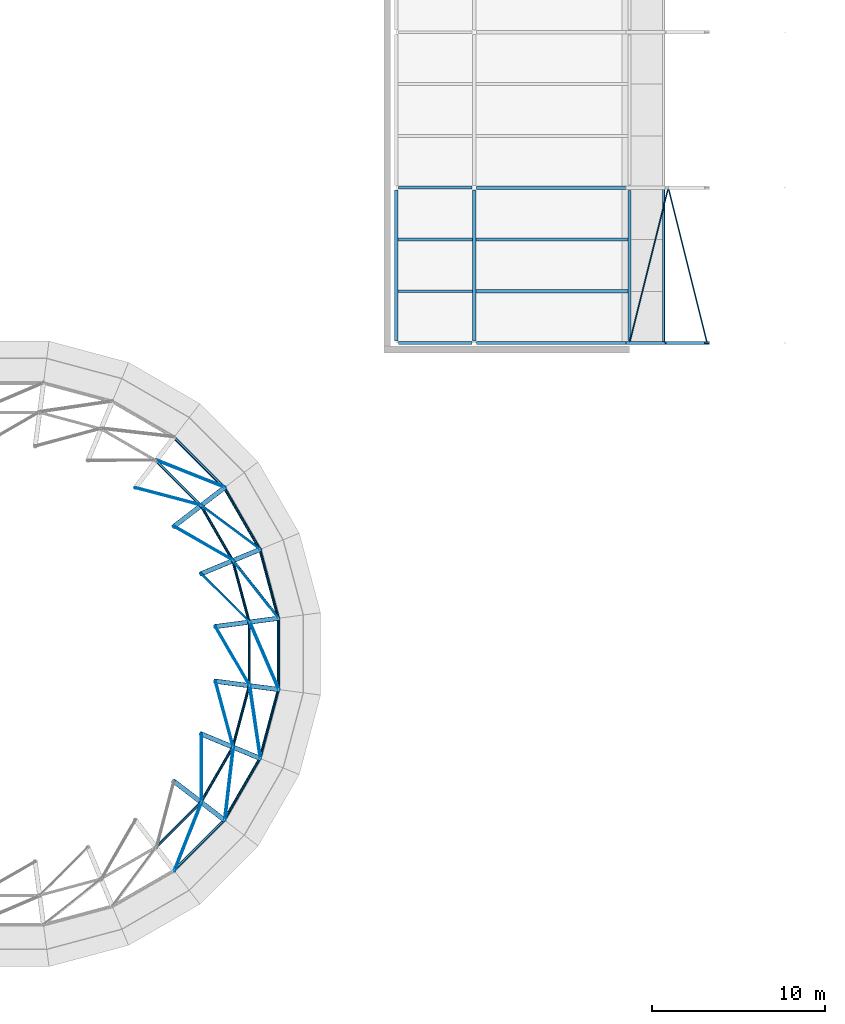
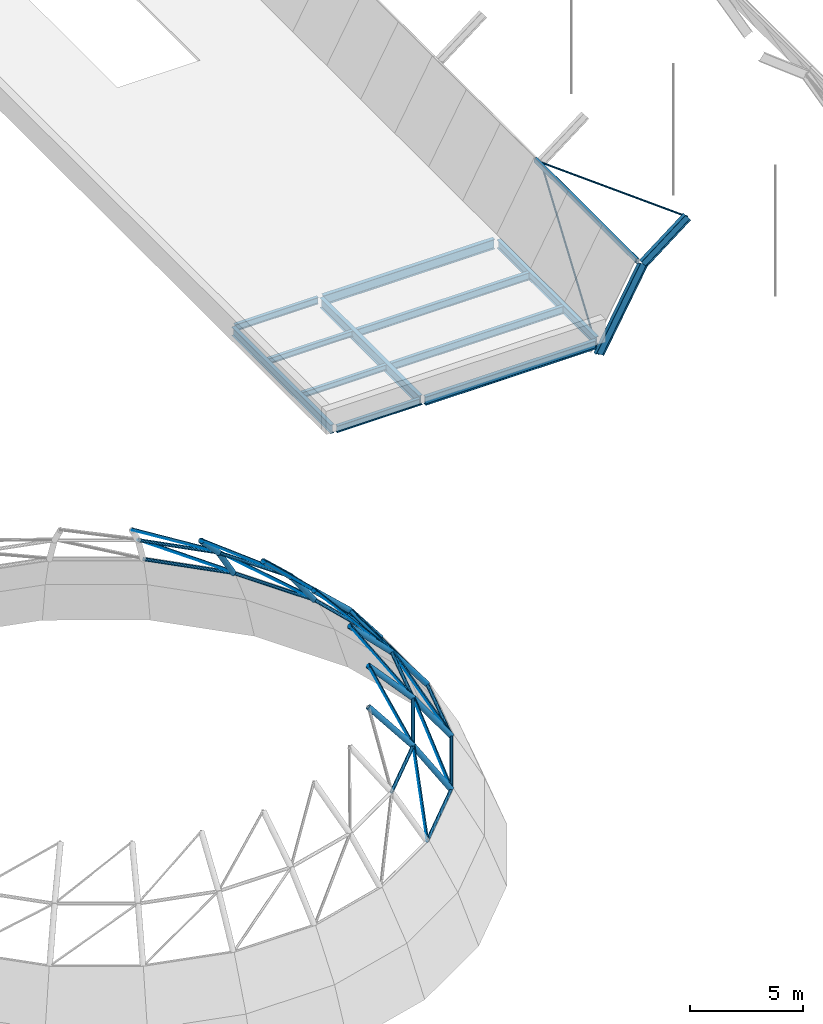
# One storey, part 12 of 62: 43 members, 25 beams.
"""IFC4 building model written with IfcOpenShell, lengths in metres."""

from ifc_helpers import new_model, si_unit, direction, frame, origin, origin_2d, place, context, subcontext, project, spatial, rectangle, hollow_rectangle, circle, hollow_circle, i_section, extrude, material, material_profile, profile_set, type_object, element, save


model = new_model("IFC4")

# Units and contexts
model_context = context("Model", 3, precision=1e-05, world=origin(), true_north=direction((0.0, 1.0)))
body_context = subcontext(model_context, "Body", "Model", "MODEL_VIEW")
ifc_project = project(units=[si_unit("LENGTHUNIT", "METRE"), si_unit("AREAUNIT", "SQUARE_METRE"), si_unit("VOLUMEUNIT", "CUBIC_METRE"), si_unit("PLANEANGLEUNIT", "RADIAN"), si_unit("MASSUNIT", "GRAM", prefix="KILO")], contexts=[model_context])

# Site, building, storey
site_placement = place(None, origin())
site = spatial("IfcSite", under=ifc_project, at=site_placement, CompositionType="ELEMENT")
building_placement = place(site_placement, origin())
building = spatial("IfcBuilding", under=site, at=building_placement, Name="Hortulan Conservatory and Botanical Research Centre", CompositionType="ELEMENT")
storey_placement = place(building_placement, frame((0.0, 0.0, 15.0)))
storey = spatial("IfcBuildingStorey", under=building, at=storey_placement, Name="L03", CompositionType="ELEMENT", Elevation=15.0)

# Members
ifc_material_1 = material(Name="Steel Grade 300PLUS (AS/NZS 3679.1, 280 MPa minimum yield)", Category="steel")
ifc_material_profile_1 = material_profile(ifc_material_1, circle(Radius=0.011962890625, at=origin_2d()), Name="24 dia rod")
ifc_profile_set_1 = profile_set([ifc_material_profile_1], Name="Steel Grade 300PLUS (AS/NZS 3679.1, 280 MPa minimum yield)")
member_type_1 = type_object("IfcMemberType", Name="Dome Diagonal Rod 24 dia rod", PredefinedType="BRACE", material=ifc_profile_set_1)
for number, where, z_axis, x_axis, name in (
    (1, (69.667236328125, 20.0625, 0.515380859375), (-0.551276813758, 0.696722880391, 0.45898921834), (-0.784207644778, -0.620498484987, 0.0), "Dome diagonal rod row 3 panel 01"),
    (2, (68.599609375, 24.04736328125, 0.515380859375), (-0.712827671315, 0.530297262099, 0.458978784715), (-0.59688099189, -0.802329783518, 0.0), "Dome diagonal rod row 3 panel 02"),
):
    element("IfcMember", number, at=place(storey_placement, frame(where, z_axis=z_axis, x_axis=x_axis)), inside=storey, type_object=member_type_1, Name=name, PredefinedType="BRACE", context=body_context, shape_type="SweptSolid", body=[
        extrude(circle(Radius=0.011962890625, at=origin_2d()), origin(), (0.0, 0.0, 1.0), 4.78564453125),
    ])
for number, where, z_axis, x_axis, name in (
    (3, (66.536865234375, 27.619873046875, 0.515380859375), (-0.825772927087, 0.327737877401, 0.459006488632), (-0.368894344286, -0.92947133509, 0.0), "Dome diagonal rod row 3 panel 03"),
    (4, (63.619873046875, 5.463134765625, 0.515380859375), (0.327737877401, 0.825772927087, 0.459006488632), (-0.92947133509, 0.368894344286, 0.0), "Dome diagonal rod row 3 panel 21"),
):
    element("IfcMember", number, at=place(storey_placement, frame(where, z_axis=z_axis, x_axis=x_axis)), inside=storey, type_object=member_type_1, Name=name, PredefinedType="BRACE", context=body_context, shape_type="SweptSolid", body=[
        extrude(circle(Radius=0.011962890625, at=origin_2d()), origin(), (0.0, 0.0, 1.0), 4.785400390625),
    ])
for number, where, z_axis, x_axis, name in (
    (5, (66.536865234375, 8.380126953125, 0.515380859375), (0.102847629972, 0.882469396453, 0.458988158162), (-0.993277011316, 0.115761732848, 0.0), "Dome diagonal rod row 3 panel 22"),
    (6, (68.599609375, 11.95263671875, 0.515380859375), (-0.129071585613, 0.879013209529, 0.458994883699), (-0.989390716312, -0.145279077903, 0.0), "Dome diagonal rod row 3 panel 23"),
):
    element("IfcMember", number, at=place(storey_placement, frame(where, z_axis=z_axis, x_axis=x_axis)), inside=storey, type_object=member_type_1, Name=name, PredefinedType="BRACE", context=body_context, shape_type="SweptSolid", body=[
        extrude(circle(Radius=0.011962890625, at=origin_2d()), origin(), (0.0, 0.0, 1.0), 4.78564453125),
    ])
member_1_placement = place(storey_placement, frame((69.667236328125, 15.9375, 0.515380859375), z_axis=(-0.352169327577, 0.815657425656, 0.458998615125), x_axis=(-0.91808135187, -0.396392017261, 0.0)))
element("IfcMember", 7, at=member_1_placement, inside=storey, type_object=member_type_1, Name="Dome diagonal rod row 3 panel 24", PredefinedType="BRACE", context=body_context, shape_type="SweptSolid", body=[
    extrude(circle(Radius=0.011962890625, at=origin_2d()), origin(), (0.0, 0.0, 1.0), 4.785400390625),
])
member_2_placement = place(storey_placement, frame((67.98193359375, 19.8408203125, 2.7119140625), z_axis=(-0.637310933785, 0.634313390851, 0.437585758299), x_axis=(-0.705437990181, -0.708771643062, 0.0)))
element("IfcMember", 8, at=member_2_placement, inside=storey, type_object=member_type_1, Name="Dome diagonal rod row 4 panel 01", PredefinedType="BRACE", context=body_context, shape_type="SweptSolid", body=[
    extrude(circle(Radius=0.011962890625, at=origin_2d()), origin(), (0.0, 0.0, 1.0), 4.398193359375),
])
for number, where, z_axis, x_axis, name in (
    (9, (67.029052734375, 23.396728515625, 2.7119140625), (-0.779763098532, 0.447751772817, 0.437593258755), (-0.49795952205, -0.867200273524, 0.0), "Dome diagonal rod row 4 panel 02"),
    (10, (65.188232421875, 26.585205078125, 2.7119140625), (-0.869085936179, 0.230649723098, 0.437596093185), (-0.256513561855, -0.966540631626, 0.0), "Dome diagonal rod row 4 panel 03"),
    (11, (65.188232421875, 9.414794921875, 2.7119140625), (-0.002109424451, 0.899169927801, 0.437594551232), (-0.999997248227, -0.002345962183, 0.0), "Dome diagonal rod row 4 panel 22"),
    (12, (67.029052734375, 12.603271484375, 2.7119140625), (-0.234759526043, 0.867982962687, 0.437599750247), (-0.965315887226, -0.261084733121, 0.0), "Dome diagonal rod row 4 panel 23"),
):
    element("IfcMember", number, at=place(storey_placement, frame(where, z_axis=z_axis, x_axis=x_axis)), inside=storey, type_object=member_type_1, Name=name, PredefinedType="BRACE", context=body_context, shape_type="SweptSolid", body=[
        extrude(circle(Radius=0.011962890625, at=origin_2d()), origin(), (0.0, 0.0, 1.0), 4.39794921875),
    ])
member_3_placement = place(storey_placement, frame((67.98193359375, 16.1591796875, 2.7119140625), z_axis=(-0.451413454408, 0.777650157748, 0.437591276574), x_axis=(-0.864849474526, -0.502031260393, 0.0)))
element("IfcMember", 13, at=member_3_placement, inside=storey, type_object=member_type_1, Name="Dome diagonal rod row 4 panel 24", PredefinedType="BRACE", context=body_context, shape_type="SweptSolid", body=[
    extrude(circle(Radius=0.011962890625, at=origin_2d()), origin(), (0.0, 0.0, 1.0), 4.398193359375),
])
ifc_material_2 = material(Name="Bronze-finished aluminium", Category="aluminium")
ifc_material_profile_2 = material_profile(ifc_material_2, rectangle(XDim=0.050048828125, YDim=0.050048828125, at=origin_2d()), Name="Square bar 50x50")
ifc_profile_set_2 = profile_set([ifc_material_profile_2], Name="Bronze-finished aluminium")
member_type_2 = type_object("IfcMemberType", Name="Dome Glazing Bar 50x50", PredefinedType="MEMBER", material=ifc_profile_set_2)
member_4_placement = place(storey_placement, frame((69.73046875, 20.07080078125, 0.5576171875), z_axis=(-0.551277329831, 0.696743412348, 0.458957430448), x_axis=(-0.784216259694, -0.620487597001, 0.0)))
element("IfcMember", 14, at=member_4_placement, inside=storey, type_object=member_type_2, Name="Dome glazing bar row 3 panel 01", PredefinedType="MEMBER", context=body_context, shape_type="SweptSolid", body=[
    extrude(rectangle(XDim=0.050048828125, YDim=0.050048828125, at=origin_2d()), origin(), (0.0, 0.0, 1.0), 4.80517578125),
])
member_5_placement = place(storey_placement, frame((68.658447265625, 24.07177734375, 0.5576171875), z_axis=(-0.712822104019, 0.530310378476, 0.458972276399), x_axis=(-0.596893496281, -0.802320480916, 0.0)))
element("IfcMember", 15, at=member_5_placement, inside=storey, type_object=member_type_2, Name="Dome glazing bar row 3 panel 02", PredefinedType="MEMBER", context=body_context, shape_type="SweptSolid", body=[
    extrude(rectangle(XDim=0.050048828125, YDim=0.050048828125, at=origin_2d()), origin(), (0.0, 0.0, 1.0), 4.804931640625),
])
for number, where, z_axis, x_axis, name in (
    (16, (66.58740234375, 27.65869140625, 0.5576171875), (-0.825772653205, 0.327748053238, 0.458999715488), (-0.368904344965, -0.929467365896, 0.0), "Dome glazing bar row 3 panel 03"),
    (17, (63.65869140625, 5.41259765625, 0.5576171875), (0.327748053238, 0.825772653205, 0.458999715488), (-0.929467365896, 0.368904344965, 0.0), "Dome glazing bar row 3 panel 21"),
    (18, (66.58740234375, 8.34130859375, 0.5576171875), (0.102845269021, 0.882467286107, 0.458992744596), (-0.99327728504, 0.115759384172, 0.0), "Dome glazing bar row 3 panel 22"),
):
    element("IfcMember", number, at=place(storey_placement, frame(where, z_axis=z_axis, x_axis=x_axis)), inside=storey, type_object=member_type_2, Name=name, PredefinedType="MEMBER", context=body_context, shape_type="SweptSolid", body=[
        extrude(rectangle(XDim=0.050048828125, YDim=0.050048828125, at=origin_2d()), origin(), (0.0, 0.0, 1.0), 4.8046875),
    ])
member_6_placement = place(storey_placement, frame((68.658447265625, 11.92822265625, 0.5576171875), z_axis=(-0.129059327779, 0.879026130151, 0.45897358576), x_axis=(-0.989393006263, -0.145263481844, 0.0)))
element("IfcMember", 19, at=member_6_placement, inside=storey, type_object=member_type_2, Name="Dome glazing bar row 3 panel 23", PredefinedType="MEMBER", context=body_context, shape_type="SweptSolid", body=[
    extrude(rectangle(XDim=0.050048828125, YDim=0.050048828125, at=origin_2d()), origin(), (0.0, 0.0, 1.0), 4.804931640625),
])
member_7_placement = place(storey_placement, frame((69.73046875, 15.92919921875, 0.5576171875), z_axis=(-0.352185798662, 0.815652350329, 0.458994996295), x_axis=(-0.918073707247, -0.39640972246, 0.0)))
element("IfcMember", 20, at=member_7_placement, inside=storey, type_object=member_type_2, Name="Dome glazing bar row 3 panel 24", PredefinedType="MEMBER", context=body_context, shape_type="SweptSolid", body=[
    extrude(rectangle(XDim=0.050048828125, YDim=0.050048828125, at=origin_2d()), origin(), (0.0, 0.0, 1.0), 4.8046875),
])
for number, where, z_axis, x_axis, name in (
    (21, (68.035888671875, 19.847900390625, 2.7607421875), (-0.637294139338, 0.634308119075, 0.437617858457), (-0.705444383685, -0.708765279572, 0.0), "Dome glazing bar row 4 panel 01"),
    (22, (67.079345703125, 23.417724609375, 2.7607421875), (-0.779750114906, 0.447743896205, 0.437624452831), (-0.497959169754, -0.867200475818, 0.0), "Dome glazing bar row 4 panel 02"),
    (23, (65.2314453125, 26.618408203125, 2.7607421875), (-0.869068491127, 0.230649317669, 0.437630951818), (-0.256517950879, -0.966539466797, 0.0), "Dome glazing bar row 4 panel 03"),
):
    element("IfcMember", number, at=place(storey_placement, frame(where, z_axis=z_axis, x_axis=x_axis)), inside=storey, type_object=member_type_2, Name=name, PredefinedType="MEMBER", context=body_context, shape_type="SweptSolid", body=[
        extrude(rectangle(XDim=0.050048828125, YDim=0.050048828125, at=origin_2d()), origin(), (0.0, 0.0, 1.0), 4.4150390625),
    ])
member_8_placement = place(storey_placement, frame((65.2314453125, 9.381591796875, 2.7607421875), z_axis=(-0.00210123465, 0.89916254341, 0.437609763763), x_axis=(-0.999997269508, -0.00233687327, 0.0)))
element("IfcMember", 24, at=member_8_placement, inside=storey, type_object=member_type_2, Name="Dome glazing bar row 4 panel 22", PredefinedType="MEMBER", context=body_context, shape_type="SweptSolid", body=[
    extrude(rectangle(XDim=0.050048828125, YDim=0.050048828125, at=origin_2d()), origin(), (0.0, 0.0, 1.0), 4.415283203125),
])
for number, where, z_axis, x_axis, name in (
    (25, (67.079345703125, 12.582275390625, 2.7607421875), (-0.234732085338, 0.867983402485, 0.437613597965), (-0.965323611585, -0.261056171955, 0.0), "Dome glazing bar row 4 panel 23"),
    (26, (68.035888671875, 16.152099609375, 2.7607421875), (-0.451391510808, 0.777645328494, 0.437622493757), (-0.864858716753, -0.502015338467, 0.0), "Dome glazing bar row 4 panel 24"),
):
    element("IfcMember", number, at=place(storey_placement, frame(where, z_axis=z_axis, x_axis=x_axis)), inside=storey, type_object=member_type_2, Name=name, PredefinedType="MEMBER", context=body_context, shape_type="SweptSolid", body=[
        extrude(rectangle(XDim=0.050048828125, YDim=0.050048828125, at=origin_2d()), origin(), (0.0, 0.0, 1.0), 4.4150390625),
    ])

# Beams
ifc_material_3 = material(Name="Steel Grade C350L0 (350 MPa, AS/NZS 1163)", Category="steel")
ifc_material_profile_3 = material_profile(ifc_material_3, hollow_circle(Radius=0.136474609375, WallThickness=0.00927734375, at=origin_2d()), Name="273.1x9.3CHS")
ifc_profile_set_3 = profile_set([ifc_material_profile_3], Name="Steel Grade C350L0 (350 MPa, AS/NZS 1163)")
beam_type_1 = type_object("IfcBeamType", Name="Dome Rib 273.1x9.3 CHS", PredefinedType="BEAM", material=ifc_profile_set_3)
for number, where, z_axis, x_axis, name in (
    (27, (69.667236328125, 20.0625, 0.515380859375), (-0.606783856644, -0.079814535975, 0.790849537626), (0.130413643681, -0.991459672171, 0.0), "Dome rib 01 segment 3"),
    (28, (67.98193359375, 19.8408203125, 2.7119140625), (-0.714825060268, -0.09414383172, 0.692937278664), (0.130574354934, -0.991438519442, 0.0), "Dome rib 01 segment 4"),
):
    element("IfcBeam", number, at=place(storey_placement, frame(where, z_axis=z_axis, x_axis=x_axis)), inside=storey, type_object=beam_type_1, Name=name, PredefinedType="BEAM", context=body_context, shape_type="SweptSolid", body=[
        extrude(hollow_circle(Radius=0.136474609375, WallThickness=0.00927734375, at=origin_2d()), origin(), (0.0, 0.0, 1.0), 2.77734375),
    ])
beam_1_placement = place(storey_placement, frame((68.599609375, 24.04736328125, 0.515380859375), z_axis=(-0.56544866769, -0.234248515373, 0.790819471974), x_axis=(0.382728070254, -0.923861041629, 0.0)))
element("IfcBeam", 29, at=beam_1_placement, inside=storey, type_object=beam_type_1, Name="Dome rib 02 segment 3", PredefinedType="BEAM", context=body_context, shape_type="SweptSolid", body=[
    extrude(hollow_circle(Radius=0.136474609375, WallThickness=0.00927734375, at=origin_2d()), origin(), (0.0, 0.0, 1.0), 2.777587890625),
])
for number, where, z_axis, x_axis, name in (
    (30, (67.029052734375, 23.396728515625, 2.7119140625), (-0.666135531853, -0.275842346128, 0.692946212404), (0.382588690977, -0.923918769988, 0.0), "Dome rib 02 segment 4"),
    (31, (66.536865234375, 27.619873046875, 0.515380859375), (-0.485568952644, -0.372527375327, 0.790851532755), (0.608696855195, -0.793402885346, 0.0), "Dome rib 03 segment 3"),
    (32, (65.188232421875, 26.585205078125, 2.7119140625), (-0.571972902926, -0.438978435102, 0.692924910675), (0.608838412356, -0.793294262956, 0.0), "Dome rib 03 segment 4"),
    (33, (66.536865234375, 8.380126953125, 0.515380859375), (-0.485568952644, 0.372527375327, 0.790851532755), (-0.608696855195, -0.793402885346, 0.0), "Dome rib 22 segment 3"),
    (34, (65.188232421875, 9.414794921875, 2.7119140625), (-0.571972902926, 0.438978435102, 0.692924910675), (-0.608838412356, -0.793294262956, 0.0), "Dome rib 22 segment 4"),
):
    element("IfcBeam", number, at=place(storey_placement, frame(where, z_axis=z_axis, x_axis=x_axis)), inside=storey, type_object=beam_type_1, Name=name, PredefinedType="BEAM", context=body_context, shape_type="SweptSolid", body=[
        extrude(hollow_circle(Radius=0.136474609375, WallThickness=0.00927734375, at=origin_2d()), origin(), (0.0, 0.0, 1.0), 2.77734375),
    ])
beam_2_placement = place(storey_placement, frame((68.599609375, 11.95263671875, 0.515380859375), z_axis=(-0.56544866769, 0.234248515373, 0.790819471974), x_axis=(-0.382728070254, -0.923861041629, 0.0)))
element("IfcBeam", 35, at=beam_2_placement, inside=storey, type_object=beam_type_1, Name="Dome rib 23 segment 3", PredefinedType="BEAM", context=body_context, shape_type="SweptSolid", body=[
    extrude(hollow_circle(Radius=0.136474609375, WallThickness=0.00927734375, at=origin_2d()), origin(), (0.0, 0.0, 1.0), 2.777587890625),
])
for number, where, z_axis, x_axis, name in (
    (36, (67.029052734375, 12.603271484375, 2.7119140625), (-0.666135531853, 0.275842346128, 0.692946212404), (-0.382588690977, -0.923918769988, 0.0), "Dome rib 23 segment 4"),
    (37, (69.667236328125, 15.9375, 0.515380859375), (-0.606783856644, 0.079814535975, 0.790849537626), (-0.130413643681, -0.991459672171, 0.0), "Dome rib 24 segment 3"),
    (38, (67.98193359375, 16.1591796875, 2.7119140625), (-0.714825060268, 0.09414383172, 0.692937278664), (-0.130574354934, -0.991438519442, 0.0), "Dome rib 24 segment 4"),
):
    element("IfcBeam", number, at=place(storey_placement, frame(where, z_axis=z_axis, x_axis=x_axis)), inside=storey, type_object=beam_type_1, Name=name, PredefinedType="BEAM", context=body_context, shape_type="SweptSolid", body=[
        extrude(hollow_circle(Radius=0.136474609375, WallThickness=0.00927734375, at=origin_2d()), origin(), (0.0, 0.0, 1.0), 2.77734375),
    ])

# Members
ifc_material_profile_4 = material_profile(ifc_material_3, hollow_circle(Radius=0.084228515625, WallThickness=0.00634765625, at=origin_2d()), Name="168.3x6.4CHS")
ifc_profile_set_4 = profile_set([ifc_material_profile_4], Name="Steel Grade C350L0 (350 MPa, AS/NZS 1163)")
member_type_3 = type_object("IfcMemberType", Name="Dome Ring 168.3x6.4 CHS", PredefinedType="PURLIN", material=ifc_profile_set_4)
member_9_placement = place(storey_placement, frame((69.667236328125, 20.0625, 0.515380859375), z_axis=(-0.258793274892, 0.965932731028, 0.0), x_axis=(-0.965932731028, -0.258793274892, 0.0)))
element("IfcMember", 39, at=member_9_placement, inside=storey, type_object=member_type_3, Name="Dome ring 2 chord 01", PredefinedType="PURLIN", context=body_context, shape_type="SweptSolid", body=[
    extrude(hollow_circle(Radius=0.084228515625, WallThickness=0.00634765625, at=origin_2d()), origin(), (0.0, 0.0, 1.0), 4.12548828125),
])
for number, where, z_axis, x_axis, name in (
    (40, (68.599609375, 24.04736328125, 0.515380859375), (-0.500028119036, 0.866009168642, 0.0), (-0.866009168642, -0.500028119036, 0.0), "Dome ring 2 chord 02"),
    (41, (66.536865234375, 27.619873046875, 0.515380859375), (-0.707106781187, 0.707106781187, 0.0), (-0.707106781187, -0.707106781187, 0.0), "Dome ring 2 chord 03"),
    (42, (63.619873046875, 5.463134765625, 0.515380859375), (0.707106781187, 0.707106781187, 0.0), (-0.707106781187, 0.707106781187, 0.0), "Dome ring 2 chord 21"),
    (43, (66.536865234375, 8.380126953125, 0.515380859375), (0.500028119036, 0.866009168642, 0.0), (-0.866009168642, 0.500028119036, 0.0), "Dome ring 2 chord 22"),
):
    element("IfcMember", number, at=place(storey_placement, frame(where, z_axis=z_axis, x_axis=x_axis)), inside=storey, type_object=member_type_3, Name=name, PredefinedType="PURLIN", context=body_context, shape_type="SweptSolid", body=[
        extrude(hollow_circle(Radius=0.084228515625, WallThickness=0.00634765625, at=origin_2d()), origin(), (0.0, 0.0, 1.0), 4.125244140625),
    ])
member_10_placement = place(storey_placement, frame((68.599609375, 11.95263671875, 0.515380859375), z_axis=(0.258793274892, 0.965932731028, 0.0), x_axis=(-0.965932731028, 0.258793274892, 0.0)))
element("IfcMember", 44, at=member_10_placement, inside=storey, type_object=member_type_3, Name="Dome ring 2 chord 23", PredefinedType="PURLIN", context=body_context, shape_type="SweptSolid", body=[
    extrude(hollow_circle(Radius=0.084228515625, WallThickness=0.00634765625, at=origin_2d()), origin(), (0.0, 0.0, 1.0), 4.12548828125),
])
member_11_placement = place(storey_placement, frame((69.667236328125, 15.9375, 0.515380859375), z_axis=(0.0, 1.0, 0.0), x_axis=(-1.0, 0.0, 0.0)))
element("IfcMember", 45, at=member_11_placement, inside=storey, type_object=member_type_3, Name="Dome ring 2 chord 24", PredefinedType="PURLIN", context=body_context, shape_type="SweptSolid", body=[
    extrude(hollow_circle(Radius=0.084228515625, WallThickness=0.00634765625, at=origin_2d()), origin(), (0.0, 0.0, 1.0), 4.125),
])
member_12_placement = place(storey_placement, frame((67.98193359375, 19.8408203125, 2.7119140625), z_axis=(-0.258838845954, 0.965920520449, 0.0), x_axis=(-0.965920520449, -0.258838845954, 0.0)))
element("IfcMember", 46, at=member_12_placement, inside=storey, type_object=member_type_3, Name="Dome ring 3 chord 01", PredefinedType="PURLIN", context=body_context, shape_type="SweptSolid", body=[
    extrude(hollow_circle(Radius=0.084228515625, WallThickness=0.00634765625, at=origin_2d()), origin(), (0.0, 0.0, 1.0), 3.681396484375),
])
member_13_placement = place(storey_placement, frame((67.029052734375, 23.396728515625, 2.7119140625), z_axis=(-0.499990325971, 0.866030989016, 0.0), x_axis=(-0.866030989016, -0.499990325971, 0.0)))
element("IfcMember", 47, at=member_13_placement, inside=storey, type_object=member_type_3, Name="Dome ring 3 chord 02", PredefinedType="PURLIN", context=body_context, shape_type="SweptSolid", body=[
    extrude(hollow_circle(Radius=0.084228515625, WallThickness=0.00634765625, at=origin_2d()), origin(), (0.0, 0.0, 1.0), 3.681640625),
])
for number, where, z_axis, x_axis, name in (
    (48, (65.188232421875, 26.585205078125, 2.7119140625), (-0.707106781187, 0.707106781187, 0.0), (-0.707106781187, -0.707106781187, 0.0), "Dome ring 3 chord 03"),
    (49, (62.585205078125, 6.811767578125, 2.7119140625), (0.707106781187, 0.707106781187, 0.0), (-0.707106781187, 0.707106781187, 0.0), "Dome ring 3 chord 21"),
):
    element("IfcMember", number, at=place(storey_placement, frame(where, z_axis=z_axis, x_axis=x_axis)), inside=storey, type_object=member_type_3, Name=name, PredefinedType="PURLIN", context=body_context, shape_type="SweptSolid", body=[
        extrude(hollow_circle(Radius=0.084228515625, WallThickness=0.00634765625, at=origin_2d()), origin(), (0.0, 0.0, 1.0), 3.68115234375),
    ])
member_14_placement = place(storey_placement, frame((65.188232421875, 9.414794921875, 2.7119140625), z_axis=(0.499990325971, 0.866030989016, 0.0), x_axis=(-0.866030989016, 0.499990325971, 0.0)))
element("IfcMember", 50, at=member_14_placement, inside=storey, type_object=member_type_3, Name="Dome ring 3 chord 22", PredefinedType="PURLIN", context=body_context, shape_type="SweptSolid", body=[
    extrude(hollow_circle(Radius=0.084228515625, WallThickness=0.00634765625, at=origin_2d()), origin(), (0.0, 0.0, 1.0), 3.681640625),
])
member_15_placement = place(storey_placement, frame((67.029052734375, 12.603271484375, 2.7119140625), z_axis=(0.258838845954, 0.965920520449, 0.0), x_axis=(-0.965920520449, 0.258838845954, 0.0)))
element("IfcMember", 51, at=member_15_placement, inside=storey, type_object=member_type_3, Name="Dome ring 3 chord 23", PredefinedType="PURLIN", context=body_context, shape_type="SweptSolid", body=[
    extrude(hollow_circle(Radius=0.084228515625, WallThickness=0.00634765625, at=origin_2d()), origin(), (0.0, 0.0, 1.0), 3.681396484375),
])
member_16_placement = place(storey_placement, frame((67.98193359375, 16.1591796875, 2.7119140625), z_axis=(0.0, 1.0, 0.0), x_axis=(-1.0, 0.0, 0.0)))
element("IfcMember", 52, at=member_16_placement, inside=storey, type_object=member_type_3, Name="Dome ring 3 chord 24", PredefinedType="PURLIN", context=body_context, shape_type="SweptSolid", body=[
    extrude(hollow_circle(Radius=0.084228515625, WallThickness=0.00634765625, at=origin_2d()), origin(), (0.0, 0.0, 1.0), 3.681640625),
])

# Beams
ifc_material_profile_5 = material_profile(ifc_material_1, i_section(OverallWidth=0.1708984375, OverallDepth=0.35595703125, WebThickness=0.00732421875, FlangeThickness=0.011474609375, FilletRadius=0.011474609375, at=origin_2d()), Name="360UB50.7")
ifc_profile_set_5 = profile_set([ifc_material_profile_5], Name="Steel Grade 300PLUS (AS/NZS 3679.1, 280 MPa minimum yield)")
beam_type_2 = type_object("IfcBeamType", Name="Primary Beam 360UB50.7", PredefinedType="BEAM", material=ifc_profile_set_5)
beam_3_placement = place(storey_placement, frame((76.6279296875, 36.0, -0.327880859375), z_axis=(1.0, 0.0, 0.0), x_axis=(0.0, 1.0, 0.0)))
element("IfcBeam", 53, at=beam_3_placement, inside=storey, type_object=beam_type_2, Name="360UB50.7 girder", PredefinedType="BEAM", context=body_context, shape_type="SweptSolid", body=[
    extrude(i_section(OverallWidth=0.1708984375, OverallDepth=0.35595703125, WebThickness=0.00732421875, FlangeThickness=0.011474609375, FilletRadius=0.011474609375, at=origin_2d()), origin(), (0.0, 0.0, 1.0), 4.2421875),
])
beam_4_placement = place(storey_placement, frame((76.6279296875, 45.0, -0.327880859375), z_axis=(1.0, 0.0, 0.0), x_axis=(0.0, 1.0, 0.0)))
element("IfcBeam", 54, at=beam_4_placement, inside=storey, type_object=beam_type_2, Name="360UB50.7 girder", PredefinedType="BEAM", context=body_context, shape_type="SweptSolid", body=[
    extrude(i_section(OverallWidth=0.1708984375, OverallDepth=0.35595703125, WebThickness=0.00732421875, FlangeThickness=0.011474609375, FilletRadius=0.011474609375, at=origin_2d()), origin(), (0.0, 0.0, 1.0), 4.244140625),
])
ifc_material_profile_6 = material_profile(ifc_material_1, i_section(OverallWidth=0.18994140625, OverallDepth=0.45703125, WebThickness=0.009033203125, FlangeThickness=0.014404296875, FilletRadius=0.011474609375, at=origin_2d()), Name="460UB74.6")
ifc_profile_set_6 = profile_set([ifc_material_profile_6], Name="Steel Grade 300PLUS (AS/NZS 3679.1, 280 MPa minimum yield)")
beam_type_3 = type_object("IfcBeamType", Name="Primary Beam 460UB74.6", PredefinedType="BEAM", material=ifc_profile_set_6)
beam_5_placement = place(storey_placement, frame((76.5, 36.1298828125, -0.37841796875), z_axis=(0.0, 1.0, 0.0), x_axis=(-1.0, 0.0, 0.0)))
element("IfcBeam", 55, at=beam_5_placement, inside=storey, type_object=beam_type_3, Name="460UB74.6 girder", PredefinedType="BEAM", context=body_context, shape_type="SweptSolid", body=[
    extrude(i_section(OverallWidth=0.18994140625, OverallDepth=0.45703125, WebThickness=0.009033203125, FlangeThickness=0.014404296875, FilletRadius=0.011474609375, at=origin_2d()), origin(), (0.0, 0.0, 1.0), 8.740234375),
])
beam_6_placement = place(storey_placement, frame((81.1298828125, 36.0, -0.37841796875), z_axis=(1.0, 0.0, 0.0), x_axis=(0.0, 1.0, 0.0)))
element("IfcBeam", 56, at=beam_6_placement, inside=storey, type_object=beam_type_3, Name="460UB74.6 girder", PredefinedType="BEAM", context=body_context, shape_type="SweptSolid", body=[
    extrude(i_section(OverallWidth=0.18994140625, OverallDepth=0.45703125, WebThickness=0.009033203125, FlangeThickness=0.014404296875, FilletRadius=0.011474609375, at=origin_2d()), origin(), (0.0, 0.0, 1.0), 8.709716796875),
])
beam_7_placement = place(storey_placement, frame((90.0, 36.154541015625, -0.37841796875), z_axis=(0.0, 1.0, 0.0), x_axis=(-1.0, 0.0, 0.0)))
element("IfcBeam", 57, at=beam_7_placement, inside=storey, type_object=beam_type_3, Name="460UB74.6 girder", PredefinedType="BEAM", context=body_context, shape_type="SweptSolid", body=[
    extrude(i_section(OverallWidth=0.18994140625, OverallDepth=0.45703125, WebThickness=0.009033203125, FlangeThickness=0.014404296875, FilletRadius=0.011474609375, at=origin_2d()), origin(), (0.0, 0.0, 1.0), 8.68505859375),
])
ifc_material_profile_7 = material_profile(ifc_material_1, i_section(OverallWidth=0.208984375, OverallDepth=0.528076171875, WebThickness=0.009521484375, FlangeThickness=0.01318359375, FilletRadius=0.013916015625, at=origin_2d()), Name="530UB82.0")
ifc_profile_set_7 = profile_set([ifc_material_profile_7], Name="Steel Grade 300PLUS (AS/NZS 3679.1, 280 MPa minimum yield)")
beam_type_4 = type_object("IfcBeamType", Name="Primary Beam 530UB82.0", PredefinedType="BEAM", material=ifc_profile_set_7)
beam_8_placement = place(storey_placement, frame((81.0, 36.1279296875, -0.4140625), z_axis=(0.0, 1.0, 0.0), x_axis=(-1.0, 0.0, 0.0)))
element("IfcBeam", 58, at=beam_8_placement, inside=storey, type_object=beam_type_4, Name="530UB82.0 girder", PredefinedType="BEAM", context=body_context, shape_type="SweptSolid", body=[
    extrude(i_section(OverallWidth=0.208984375, OverallDepth=0.528076171875, WebThickness=0.009521484375, FlangeThickness=0.01318359375, FilletRadius=0.013916015625, at=origin_2d()), origin(), (0.0, 0.0, 1.0), 8.7421875),
])
beam_9_placement = place(storey_placement, frame((81.1279296875, 45.0, -0.4140625), z_axis=(1.0, 0.0, 0.0), x_axis=(0.0, 1.0, 0.0)))
element("IfcBeam", 59, at=beam_9_placement, inside=storey, type_object=beam_type_4, Name="530UB82.0 girder", PredefinedType="BEAM", context=body_context, shape_type="SweptSolid", body=[
    extrude(i_section(OverallWidth=0.208984375, OverallDepth=0.528076171875, WebThickness=0.009521484375, FlangeThickness=0.01318359375, FilletRadius=0.013916015625, at=origin_2d()), origin(), (0.0, 0.0, 1.0), 8.717529296875),
])
ifc_material_profile_8 = material_profile(ifc_material_1, i_section(OverallWidth=0.1650390625, OverallDepth=0.303955078125, WebThickness=0.006103515625, FlangeThickness=0.01025390625, FilletRadius=0.011474609375, at=origin_2d()), Name="310UB40.4")
ifc_profile_set_8 = profile_set([ifc_material_profile_8], Name="Steel Grade 300PLUS (AS/NZS 3679.1, 280 MPa minimum yield)")
beam_type_5 = type_object("IfcBeamType", Name="Secondary Beam 310UB40.4", PredefinedType="JOIST", material=ifc_profile_set_8)
for number, where, z_axis, x_axis, name in (
    (60, (76.594970703125, 39.0, -0.302001953125), (1.0, 0.0, 0.0), (0.0, 1.0, 0.0), "310UB40.4 secondary beam"),
    (61, (76.594970703125, 42.0, -0.302001953125), (1.0, 0.0, 0.0), (0.0, 1.0, 0.0), "310UB40.4 secondary beam"),
):
    element("IfcBeam", number, at=place(storey_placement, frame(where, z_axis=z_axis, x_axis=x_axis)), inside=storey, type_object=beam_type_5, Name=name, PredefinedType="JOIST", context=body_context, shape_type="SweptSolid", body=[
        extrude(i_section(OverallWidth=0.1650390625, OverallDepth=0.303955078125, WebThickness=0.006103515625, FlangeThickness=0.01025390625, FilletRadius=0.011474609375, at=origin_2d()), origin(), (0.0, 0.0, 1.0), 4.300537109375),
    ])
ifc_material_profile_9 = material_profile(ifc_material_1, i_section(OverallWidth=0.177978515625, OverallDepth=0.403076171875, WebThickness=0.007568359375, FlangeThickness=0.010986328125, FilletRadius=0.011474609375, at=origin_2d()), Name="410UB53.7")
ifc_profile_set_9 = profile_set([ifc_material_profile_9], Name="Steel Grade 300PLUS (AS/NZS 3679.1, 280 MPa minimum yield)")
beam_type_6 = type_object("IfcBeamType", Name="Secondary Beam 410UB53.7", PredefinedType="JOIST", material=ifc_profile_set_9)
for number, where, z_axis, x_axis, name in (
    (62, (81.1044921875, 39.0, -0.3515625), (1.0, 0.0, 0.0), (0.0, 1.0, 0.0), "410UB53.7 secondary beam"),
    (63, (81.1044921875, 42.0, -0.3515625), (1.0, 0.0, 0.0), (0.0, 1.0, 0.0), "410UB53.7 secondary beam"),
):
    element("IfcBeam", number, at=place(storey_placement, frame(where, z_axis=z_axis, x_axis=x_axis)), inside=storey, type_object=beam_type_6, Name=name, PredefinedType="JOIST", context=body_context, shape_type="SweptSolid", body=[
        extrude(i_section(OverallWidth=0.177978515625, OverallDepth=0.403076171875, WebThickness=0.007568359375, FlangeThickness=0.010986328125, FilletRadius=0.011474609375, at=origin_2d()), origin(), (0.0, 0.0, 1.0), 8.800537109375),
    ])
ifc_material_profile_10 = material_profile(ifc_material_1, i_section(OverallWidth=0.18994140625, OverallDepth=0.45703125, WebThickness=0.009033203125, FlangeThickness=0.014404296875, FilletRadius=0.011474609375, at=origin_2d()), Name="460UB74.6")
ifc_profile_set_10 = profile_set([ifc_material_profile_10], Name="Steel Grade 300PLUS (AS/NZS 3679.1, 280 MPa minimum yield)")
beam_type_7 = type_object("IfcBeamType", Name="Vault Arch 460UB74.6", PredefinedType="BEAM", material=ifc_profile_set_10)
beam_10_placement = place(storey_placement, frame((90.0, 36.0, -1.0), z_axis=(0.481904698653, 0.0, 0.876223636646), x_axis=(0.0, 1.0, 0.0)))
element("IfcBeam", 64, at=beam_10_placement, inside=storey, type_object=beam_type_7, Name="Vault arch 1 chord 1", PredefinedType="BEAM", context=body_context, shape_type="SweptSolid", body=[
    extrude(i_section(OverallWidth=0.18994140625, OverallDepth=0.45703125, WebThickness=0.009033203125, FlangeThickness=0.014404296875, FilletRadius=0.011474609375, at=origin_2d()), origin(), (0.0, 0.0, 1.0), 4.6689453125),
])
beam_11_placement = place(storey_placement, frame((92.25, 36.0, 3.091064453125), z_axis=(0.790057951817, 0.0, 0.613032162917), x_axis=(0.0, 1.0, 0.0)))
element("IfcBeam", 65, at=beam_11_placement, inside=storey, type_object=beam_type_7, Name="Vault arch 1 chord 2", PredefinedType="BEAM", context=body_context, shape_type="SweptSolid", body=[
    extrude(i_section(OverallWidth=0.18994140625, OverallDepth=0.45703125, WebThickness=0.009033203125, FlangeThickness=0.014404296875, FilletRadius=0.011474609375, at=origin_2d()), origin(), (0.0, 0.0, 1.0), 2.847900390625),
])

# Members
ifc_material_4 = material(Name="Steel Grade C450L0 (450 MPa, AS/NZS 1163)", Category="steel")
ifc_material_profile_11 = material_profile(ifc_material_4, hollow_rectangle(XDim=0.14990234375, YDim=0.25, WallThickness=0.009033203125, InnerFilletRadius=0.013427734375, OuterFilletRadius=0.0224609375, at=origin_2d()), Name="250x150x9RHS")
ifc_profile_set_11 = profile_set([ifc_material_profile_11], Name="Steel Grade C450L0 (450 MPa, AS/NZS 1163)")
member_type_4 = type_object("IfcMemberType", Name="Vault Purlin 250x150x9 RHS", PredefinedType="PURLIN", material=ifc_profile_set_11)
member_17_placement = place(storey_placement, frame((91.9794921875, 36.0, 3.322021484375), z_axis=(0.0, 1.0, 0.0), x_axis=(-1.0, 0.0, 0.0)))
element("IfcMember", 66, at=member_17_placement, inside=storey, type_object=member_type_4, Name="Vault purlin 1 bay 1", PredefinedType="PURLIN", context=body_context, shape_type="SweptSolid", body=[
    extrude(hollow_rectangle(XDim=0.14990234375, YDim=0.25, WallThickness=0.009033203125, InnerFilletRadius=0.013427734375, OuterFilletRadius=0.0224609375, at=origin_2d()), origin(), (0.0, 0.0, 1.0), 9.0),
])
ifc_material_profile_12 = material_profile(ifc_material_3, hollow_circle(Radius=0.04443359375, WallThickness=0.005859375, at=origin_2d()), Name="88.9x5.9CHS")
ifc_profile_set_12 = profile_set([ifc_material_profile_12], Name="Steel Grade C350L0 (350 MPa, AS/NZS 1163)")
member_type_5 = type_object("IfcMemberType", Name="Vault Roof Brace 88.9x5.9 CHS", PredefinedType="BRACE", material=ifc_profile_set_12)
member_18_placement = place(storey_placement, frame((90.0, 36.0, -1.0), z_axis=(0.221915389913, 0.887661559654, 0.403497850345), x_axis=(-0.970142500145, 0.242535625036, 0.0)))
element("IfcMember", 67, at=member_18_placement, inside=storey, type_object=member_type_5, Name="Vault roof brace bay 1 panel 1", PredefinedType="BRACE", context=body_context, shape_type="SweptSolid", body=[
    extrude(hollow_circle(Radius=0.04443359375, WallThickness=0.005859375, at=origin_2d()), origin(), (0.0, 0.0, 1.0), 10.138916015625),
])
member_19_placement = place(storey_placement, frame((92.25, 45.0, 3.091064453125), z_axis=(0.238351615664, -0.953406462658, 0.184944922267), x_axis=(0.970142500145, 0.242535625036, 0.0)))
element("IfcMember", 68, at=member_19_placement, inside=storey, type_object=member_type_5, Name="Vault roof brace bay 1 panel 2", PredefinedType="BRACE", context=body_context, shape_type="SweptSolid", body=[
    extrude(hollow_circle(Radius=0.04443359375, WallThickness=0.005859375, at=origin_2d()), origin(), (0.0, 0.0, 1.0), 9.43994140625),
])

save(model, "model.ifc")
